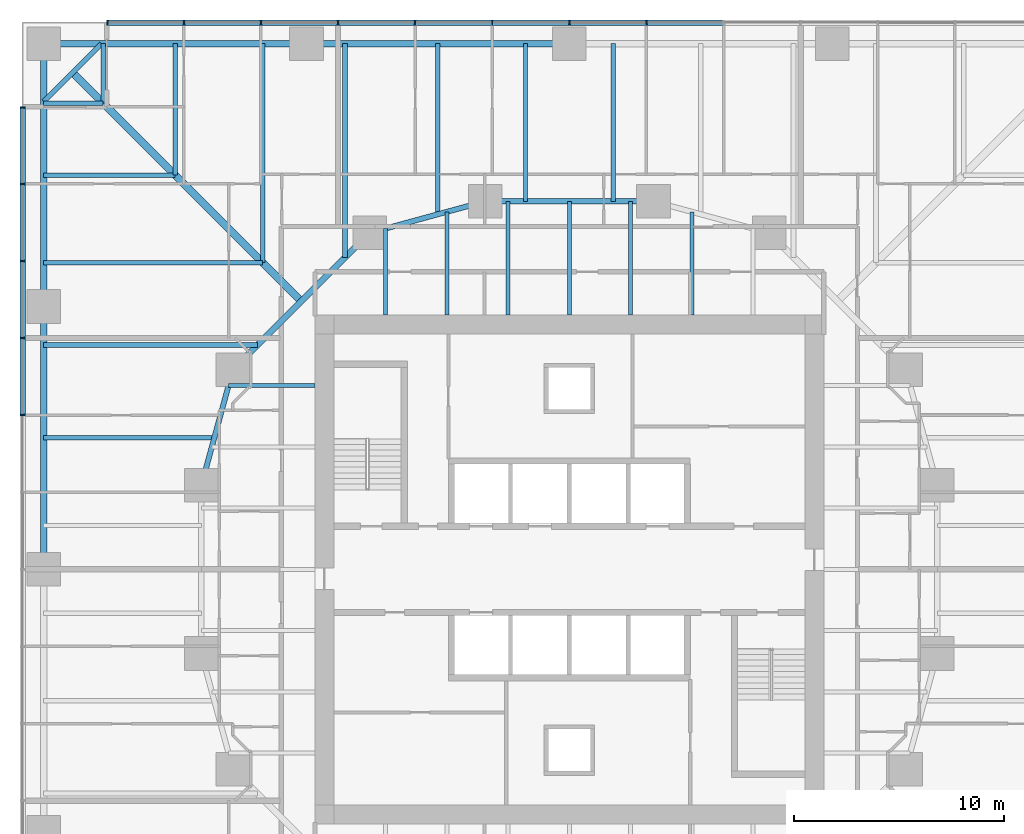
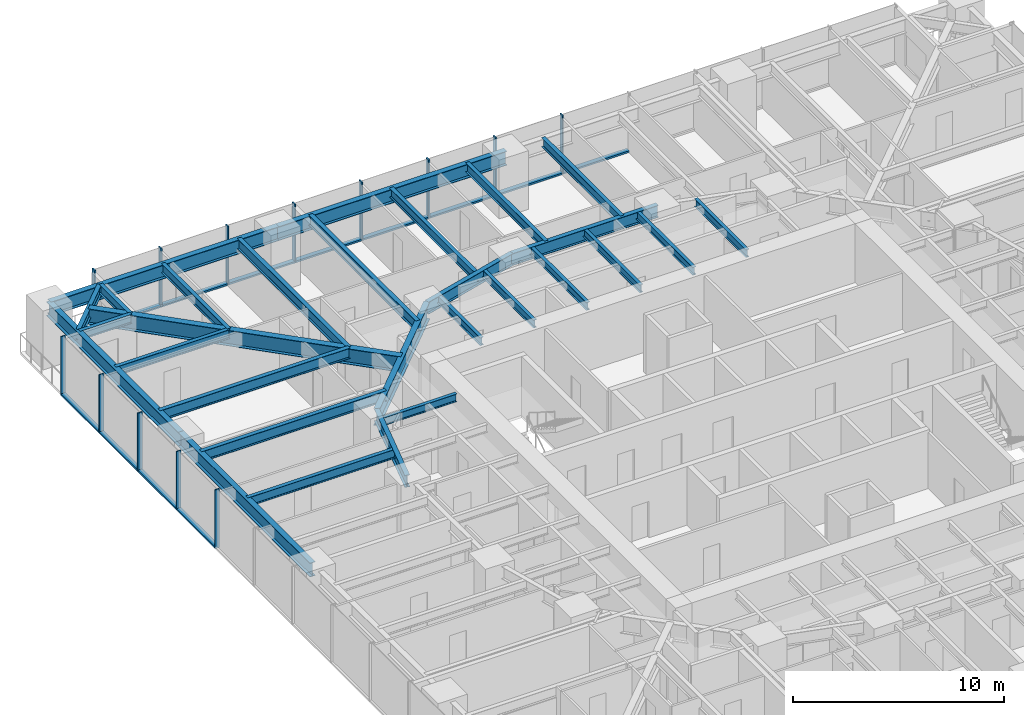
# One storey, part 5 of 18: 29 beams, 25 members, 2 elements without a shape of their own.
"""IFC4 building model written with IfcOpenShell, lengths in metres."""

import ifcopenshell
import ifcopenshell.guid

model = None  # the IFC model being written
_history = None  # IfcOwnerHistory: only IFC2X3 demands one
_inside = {}  # id of a spatial element -> (the spatial element, [elements in it])
_under = {}  # id of a project, library or spatial element -> (it, [spatial elements below it])
_declared = {}  # id of a project -> (the project, [libraries it declares])
_typed = {}  # id of a type object -> (the type object, [elements of that type])
_made_of = {}  # id of a material, layer set ... -> (it, [elements and type objects made of it])


def new_model(schema):
    """Start an empty IFC model of exactly this schema.

    Asked for "IFC4X3", IfcOpenShell would pick the latest addendum, in which some entities
    have other attributes; the version numbers below select the first issue.
    IFC2X3 requires an IfcOwnerHistory on every rooted entity: one is made here for all.
    """
    global model, _history
    if schema == "IFC4X3":
        model = ifcopenshell.file(schema_version=(4, 3, 0, 0))
    else:
        model = ifcopenshell.file(schema=schema)
    _inside.clear()
    _under.clear()
    _declared.clear()
    _typed.clear()
    _made_of.clear()
    _history = None
    if model.schema == "IFC2X3":
        org = make("IfcOrganization", Name="unknown")
        user = make(
            "IfcPersonAndOrganization",
            ThePerson=make("IfcPerson", FamilyName="unknown"),
            TheOrganization=org,
        )
        app = make(
            "IfcApplication",
            ApplicationDeveloper=org,
            Version="unknown",
            ApplicationFullName="unknown",
            ApplicationIdentifier="unknown",
        )
        _history = make(
            "IfcOwnerHistory",
            OwningUser=user,
            OwningApplication=app,
            ChangeAction="ADDED",
            CreationDate=0,
        )
    return model


def make(cls, **values):
    """One entity of the class cls with the attributes given. An attribute that is None is left unset."""
    return model.create_entity(
        cls, **{name: value for name, value in values.items() if value is not None}
    )


def rooted(cls, **values):
    """An entity with a GlobalId (a new one), such as an element, a storey or a relation."""
    return make(cls, GlobalId=ifcopenshell.guid.new(), OwnerHistory=_history, **values)


def si_unit(unit_type, name, prefix=None):
    """IfcSIUnit, for example si_unit("LENGTHUNIT", "METRE", prefix="MILLI")."""
    return make("IfcSIUnit", UnitType=unit_type, Prefix=prefix, Name=name)


def assignment(units):
    """IfcUnitAssignment: the units of a project."""
    return None if units is None else make("IfcUnitAssignment", Units=units)


def point(xyz):
    """IfcCartesianPoint."""
    return None if xyz is None else make("IfcCartesianPoint", Coordinates=xyz)


def direction(xyz):
    """IfcDirection."""
    return None if xyz is None else make("IfcDirection", DirectionRatios=xyz)


def frame(location, z_axis=None, x_axis=None):
    """IfcAxis2Placement3D, a coordinate frame: its origin and axes. An axis left out is left unset."""
    return make(
        "IfcAxis2Placement3D",
        Location=point(location),
        Axis=direction(z_axis),
        RefDirection=direction(x_axis),
    )


def frame_2d(location, x_axis=None):
    """IfcAxis2Placement2D, a coordinate frame in the plane: its origin and x axis."""
    return make(
        "IfcAxis2Placement2D", Location=point(location), RefDirection=direction(x_axis)
    )


def origin():
    """The frame at (0, 0, 0) with its axes left unset."""
    return frame((0.0, 0.0, 0.0))


def origin_2d():
    """The frame at (0, 0) in the plane with its x axis left unset."""
    return frame_2d((0.0, 0.0))


def place(relative_to, where):
    """IfcLocalPlacement: puts the frame where relative to a parent placement (None: the world)."""
    return make(
        "IfcLocalPlacement", PlacementRelTo=relative_to, RelativePlacement=where
    )


def context(
    kind, dimensions, precision=None, world=None, true_north=None, identifier=None
):
    """IfcGeometricRepresentationContext, for example the 3D "Model" context."""
    return make(
        "IfcGeometricRepresentationContext",
        ContextIdentifier=identifier,
        ContextType=kind,
        CoordinateSpaceDimension=dimensions,
        Precision=precision,
        WorldCoordinateSystem=world,
        TrueNorth=true_north,
    )


def subcontext(parent, identifier, kind, view, scale=None):
    """IfcGeometricRepresentationSubContext, for example "Body" below "Model"."""
    return make(
        "IfcGeometricRepresentationSubContext",
        ContextIdentifier=identifier,
        ContextType=kind,
        ParentContext=parent,
        TargetScale=scale,
        TargetView=view,
    )


def project(units=None, contexts=None):
    """IfcProject with its units and contexts."""
    return rooted(
        "IfcProject",
        Name="project",
        RepresentationContexts=contexts,
        UnitsInContext=assignment(units),
    )


def spatial(cls, under=None, at=None, **own):
    """A site, building, storey or space (cls), placed at a placement, below another one or the project."""
    s = rooted(cls, ObjectPlacement=at, **own)
    if under is not None:
        _under.setdefault(under.id(), (under, []))[1].append(s)
    return s


def profile(cls, at=None, kind="AREA", **sizes):
    """A parametric profile (cls). Its sizes go by their IFC names, for example OverallWidth=200.0."""
    return make(cls, ProfileType=kind, Position=at, **sizes)


def rectangle(**sizes):
    """IfcRectangleProfileDef."""
    return profile("IfcRectangleProfileDef", **sizes)


def i_section(**sizes):
    """IfcIShapeProfileDef."""
    return profile("IfcIShapeProfileDef", **sizes)


def extrude(swept, where, along, depth):
    """IfcExtrudedAreaSolid: the profile swept, set in the frame where, extruded along a direction by depth."""
    return make(
        "IfcExtrudedAreaSolid",
        SweptArea=swept,
        Position=where,
        ExtrudedDirection=direction(along),
        Depth=depth,
    )


def shape(context_of_items, identifier, shape_type, items):
    """IfcShapeRepresentation: the items that make up one representation, for example the "Body"."""
    return make(
        "IfcShapeRepresentation",
        ContextOfItems=context_of_items,
        RepresentationIdentifier=identifier,
        RepresentationType=shape_type,
        Items=items,
    )


def material(Name=None, Category=None):
    """IfcMaterial."""
    return make("IfcMaterial", Name=Name, Category=Category)


def material_profile(
    of_material, cross_section, Name=None, Category=None, Priority=None
):
    """IfcMaterialProfile: a cross section and its material."""
    return make(
        "IfcMaterialProfile",
        Name=Name,
        Material=of_material,
        Profile=cross_section,
        Priority=Priority,
        Category=Category,
    )


def profile_set(profiles, Name=None, composite=None):
    """IfcMaterialProfileSet."""
    return make(
        "IfcMaterialProfileSet",
        Name=Name,
        MaterialProfiles=profiles,
        CompositeProfile=composite,
    )


def made_of(thing, what):
    """Note that an element or type object is made of a material, layer set ...; save() writes the relation."""
    if what is not None:
        _made_of.setdefault(what.id(), (what, []))[1].append(thing)
    return thing


def type_object(cls, material=None, **own):
    """A type object (cls), such as IfcWallType, which elements share."""
    return made_of(rooted(cls, **own), material)


def element(
    cls,
    number,
    at=None,
    inside=None,
    cuts=None,
    type_object=None,
    material=None,
    context=None,
    identifier="Body",
    shape_type=None,
    held_by="IfcProductDefinitionShape",
    body=None,
    shapes=None,
    **own,
):
    """One element of the class cls, such as IfcWall. Its Tag is "e" and its number.

    at: its placement. inside: the storey or other place that contains it. cuts: it is an
    opening in that element (IfcRelVoidsElement). A single representation is given by context,
    identifier, shape_type and body (its items); several are given by shapes. held_by: the class
    of the entity that holds the representations. save() writes the other relations.
    """
    e = rooted(cls, Tag="e%d" % number, ObjectPlacement=at, **own)
    if body is not None:
        shapes = [shape(context, identifier, shape_type, body)]
    if shapes is not None:
        e.Representation = make(held_by, Representations=shapes)
    if inside is not None:
        _inside.setdefault(inside.id(), (inside, []))[1].append(e)
    if cuts is not None:
        rooted(
            "IfcRelVoidsElement", RelatingBuildingElement=cuts, RelatedOpeningElement=e
        )
    if type_object is not None:
        _typed.setdefault(type_object.id(), (type_object, []))[1].append(e)
    return made_of(e, material)


def aggregate(whole, parts):
    """IfcRelAggregates: a whole, such as a stair, and the parts it consists of."""
    return rooted("IfcRelAggregates", RelatingObject=whole, RelatedObjects=parts)


def save(model, path):
    """Write the relations noted so far, then the file.

    IfcRelAggregates (storeys below a building ...), IfcRelContainedInSpatialStructure (elements
    in a storey), IfcRelDefinesByType, IfcRelAssociatesMaterial and IfcRelDeclares: one each for
    every whole, place, type object, material and project.
    """
    for whole, parts in _under.values():
        aggregate(whole, parts)
    for where, things in _inside.values():
        rooted(
            "IfcRelContainedInSpatialStructure",
            RelatedElements=things,
            RelatingStructure=where,
        )
    for kind, things in _typed.values():
        rooted("IfcRelDefinesByType", RelatedObjects=things, RelatingType=kind)
    for what, things in _made_of.values():
        rooted("IfcRelAssociatesMaterial", RelatedObjects=things, RelatingMaterial=what)
    for by, libraries in _declared.values():
        rooted("IfcRelDeclares", RelatingContext=by, RelatedDefinitions=libraries)
    model.write(path)


model = new_model("IFC4")

# Units and contexts
model_context = context("Model", 3, precision=1e-05, world=origin(), true_north=direction((0.0, 1.0)))
body_context = subcontext(model_context, "Body", "Model", "MODEL_VIEW")
ifc_project = project(units=[si_unit("LENGTHUNIT", "METRE"), si_unit("AREAUNIT", "SQUARE_METRE"), si_unit("VOLUMEUNIT", "CUBIC_METRE"), si_unit("PLANEANGLEUNIT", "RADIAN"), si_unit("MASSUNIT", "GRAM", prefix="KILO")], contexts=[model_context])

# Site, building, storey
site_placement = place(None, origin())
site = spatial("IfcSite", under=ifc_project, at=site_placement, CompositionType="ELEMENT")
building_placement = place(site_placement, origin())
building = spatial("IfcBuilding", under=site, at=building_placement, Name="Torsade Residences", CompositionType="ELEMENT")
storey_placement = place(building_placement, frame((0.0, 0.0, 25.199951171875)))
storey = spatial("IfcBuildingStorey", under=building, at=storey_placement, Name="L06", CompositionType="ELEMENT", Elevation=25.199951171875)

# Beams
ifc_material_1 = material(Name="Steel grade 300", Category="steel")
ifc_material_profile_1 = material_profile(ifc_material_1, i_section(OverallWidth=0.35009765625, OverallDepth=0.909912109375, WebThickness=0.011962890625, FlangeThickness=0.02490234375, at=origin_2d()), Name="900WB218")
ifc_profile_set_1 = profile_set([ifc_material_profile_1], Name="Steel grade 300")
beam_type_1 = type_object("IfcBeamType", Name="CORNER GIRDER 900WB218", PredefinedType="BEAM", material=ifc_profile_set_1)
beam_1_placement = place(storey_placement, frame((16.375, 53.625, 2.795166015625), z_axis=(0.707106781187, -0.707106781187, 0.0), x_axis=(0.707106781187, 0.707106781187, 0.0)))
element("IfcBeam", 1, at=beam_1_placement, inside=storey, type_object=beam_type_1, Name="Corner girder 13 L07", PredefinedType="BEAM", context=body_context, shape_type="SweptSolid", body=[
    extrude(i_section(OverallWidth=0.35009765625, OverallDepth=0.909912109375, WebThickness=0.011962890625, FlangeThickness=0.02490234375, at=origin_2d()), origin(), (0.0, 0.0, 1.0), 15.379638671875),
])
ifc_material_2 = material(Name="Steel grade 300", Category="steel")
ifc_material_profile_2 = material_profile(ifc_material_2, i_section(OverallWidth=0.22802734375, OverallDepth=0.60205078125, WebThickness=0.010498046875, FlangeThickness=0.014892578125, FilletRadius=0.013916015625, at=origin_2d()), Name="610UB101")
ifc_profile_set_2 = profile_set([ifc_material_profile_2], Name="Steel grade 300")
beam_type_2 = type_object("IfcBeamType", Name="CORNER TRIMMER 610UB101", PredefinedType="BEAM", material=ifc_profile_set_2)
beam_2_placement = place(storey_placement, frame((15.0, 52.25, 2.948974609375), z_axis=(0.707106781187, 0.707106781187, 0.0), x_axis=(-0.707106781187, 0.707106781187, 0.0)))
element("IfcBeam", 2, at=beam_2_placement, inside=storey, type_object=beam_type_2, Name="Corner trimmer 13 L07", PredefinedType="BEAM", context=body_context, shape_type="SweptSolid", body=[
    extrude(i_section(OverallWidth=0.22802734375, OverallDepth=0.60205078125, WebThickness=0.010498046875, FlangeThickness=0.014892578125, FilletRadius=0.013916015625, at=origin_2d()), origin(), (0.0, 0.0, 1.0), 3.88916015625),
])

# Curtain wall, members
ifc_material_3 = material(Name="Aluminium and glass", Category="aluminium")
curtain_wall_type = type_object("IfcCurtainWallType", Name="FRITTED GLASS CURTAIN WALL LOW ZONE", PredefinedType="NOTDEFINED", material=ifc_material_3)
curtain_wall_1_placement = place(storey_placement, origin())
curtain_wall_1 = element("IfcCurtainWall", 3, at=curtain_wall_1_placement, inside=storey, type_object=curtain_wall_type, Name="Curtain wall L06 face 7", PredefinedType="NOTDEFINED")
ifc_material_4 = material(Name="Aluminium mullion", Category="aluminium")
ifc_material_profile_3 = material_profile(ifc_material_4, rectangle(XDim=0.25, YDim=0.06494140625, at=origin_2d()), Name="CURTAIN WALL MULLION 250x65")
ifc_profile_set_3 = profile_set([ifc_material_profile_3], Name="Aluminium mullion")
member_type_1 = type_object("IfcMemberType", Name="CURTAIN WALL MULLION 250x65", PredefinedType="MULLION", material=ifc_profile_set_3)
member_1_placement = place(storey_placement, frame((43.666748046875, 56.0, 0.0), z_axis=(0.0, 0.0, 1.0), x_axis=(0.0, -1.0, 0.0)))
member_1 = element("IfcMember", 4, at=member_1_placement, type_object=member_type_1, Name="Mullion 6", PredefinedType="MULLION", context=body_context, shape_type="SweptSolid", body=[
    extrude(rectangle(XDim=0.25, YDim=0.06494140625, at=origin_2d()), origin(), (0.0, 0.0, 1.0), 3.400146484375),
])
member_2_placement = place(storey_placement, frame((40.0, 56.0, 0.0), z_axis=(0.0, 0.0, 1.0), x_axis=(0.0, -1.0, 0.0)))
member_2 = element("IfcMember", 5, at=member_2_placement, type_object=member_type_1, Name="Mullion 7", PredefinedType="MULLION", context=body_context, shape_type="SweptSolid", body=[
    extrude(rectangle(XDim=0.25, YDim=0.06494140625, at=origin_2d()), origin(), (0.0, 0.0, 1.0), 3.400146484375),
])
member_3_placement = place(storey_placement, frame((36.333251953125, 56.0, 0.0), z_axis=(0.0, 0.0, 1.0), x_axis=(0.0, -1.0, 0.0)))
member_3 = element("IfcMember", 6, at=member_3_placement, type_object=member_type_1, Name="Mullion 8", PredefinedType="MULLION", context=body_context, shape_type="SweptSolid", body=[
    extrude(rectangle(XDim=0.25, YDim=0.06494140625, at=origin_2d()), origin(), (0.0, 0.0, 1.0), 3.400146484375),
])
member_4_placement = place(storey_placement, frame((32.666748046875, 56.0, 0.0), z_axis=(0.0, 0.0, 1.0), x_axis=(0.0, -1.0, 0.0)))
member_4 = element("IfcMember", 7, at=member_4_placement, type_object=member_type_1, Name="Mullion 9", PredefinedType="MULLION", context=body_context, shape_type="SweptSolid", body=[
    extrude(rectangle(XDim=0.25, YDim=0.06494140625, at=origin_2d()), origin(), (0.0, 0.0, 1.0), 3.400146484375),
])
member_5_placement = place(storey_placement, frame((29.0, 56.0, 0.0), z_axis=(0.0, 0.0, 1.0), x_axis=(0.0, -1.0, 0.0)))
member_5 = element("IfcMember", 8, at=member_5_placement, type_object=member_type_1, Name="Mullion 10", PredefinedType="MULLION", context=body_context, shape_type="SweptSolid", body=[
    extrude(rectangle(XDim=0.25, YDim=0.06494140625, at=origin_2d()), origin(), (0.0, 0.0, 1.0), 3.400146484375),
])
member_6_placement = place(storey_placement, frame((25.333251953125, 56.0, 0.0), z_axis=(0.0, 0.0, 1.0), x_axis=(0.0, -1.0, 0.0)))
member_6 = element("IfcMember", 9, at=member_6_placement, type_object=member_type_1, Name="Mullion 11", PredefinedType="MULLION", context=body_context, shape_type="SweptSolid", body=[
    extrude(rectangle(XDim=0.25, YDim=0.06494140625, at=origin_2d()), origin(), (0.0, 0.0, 1.0), 3.400146484375),
])
member_7_placement = place(storey_placement, frame((21.666748046875, 56.0, 0.0), z_axis=(0.0, 0.0, 1.0), x_axis=(0.0, -1.0, 0.0)))
member_7 = element("IfcMember", 10, at=member_7_placement, type_object=member_type_1, Name="Mullion 12", PredefinedType="MULLION", context=body_context, shape_type="SweptSolid", body=[
    extrude(rectangle(XDim=0.25, YDim=0.06494140625, at=origin_2d()), origin(), (0.0, 0.0, 1.0), 3.400146484375),
])
member_8_placement = place(storey_placement, frame((18.032470703125, 56.0, 0.0), z_axis=(0.0, 0.0, 1.0), x_axis=(0.0, -1.0, 0.0)))
member_8 = element("IfcMember", 11, at=member_8_placement, type_object=member_type_1, Name="Mullion 13", PredefinedType="MULLION", context=body_context, shape_type="SweptSolid", body=[
    extrude(rectangle(XDim=0.25, YDim=0.06494140625, at=origin_2d()), origin(), (0.0, 0.0, 1.0), 3.400146484375),
])

curtain_wall_2_placement = place(storey_placement, origin())
curtain_wall_2 = element("IfcCurtainWall", 12, at=curtain_wall_2_placement, inside=storey, type_object=curtain_wall_type, Name="Curtain wall L06 face 10", PredefinedType="NOTDEFINED")
member_9_placement = place(storey_placement, frame((14.0, 51.967529296875, 0.0), z_axis=(0.0, 0.0, 1.0), x_axis=(1.0, 0.0, 0.0)))
member_9 = element("IfcMember", 13, at=member_9_placement, type_object=member_type_1, Name="Mullion 1", PredefinedType="MULLION", context=body_context, shape_type="SweptSolid", body=[
    extrude(rectangle(XDim=0.25, YDim=0.06494140625, at=origin_2d()), origin(), (0.0, 0.0, 1.0), 3.400146484375),
])
member_10_placement = place(storey_placement, frame((14.0, 48.333251953125, 0.0), z_axis=(0.0, 0.0, 1.0), x_axis=(1.0, 0.0, 0.0)))
member_10 = element("IfcMember", 14, at=member_10_placement, type_object=member_type_1, Name="Mullion 2", PredefinedType="MULLION", context=body_context, shape_type="SweptSolid", body=[
    extrude(rectangle(XDim=0.25, YDim=0.06494140625, at=origin_2d()), origin(), (0.0, 0.0, 1.0), 3.400146484375),
])
member_11_placement = place(storey_placement, frame((14.0, 44.666748046875, 0.0), z_axis=(0.0, 0.0, 1.0), x_axis=(1.0, 0.0, 0.0)))
member_11 = element("IfcMember", 15, at=member_11_placement, type_object=member_type_1, Name="Mullion 3", PredefinedType="MULLION", context=body_context, shape_type="SweptSolid", body=[
    extrude(rectangle(XDim=0.25, YDim=0.06494140625, at=origin_2d()), origin(), (0.0, 0.0, 1.0), 3.400146484375),
])
member_12_placement = place(storey_placement, frame((14.0, 41.0, 0.0), z_axis=(0.0, 0.0, 1.0), x_axis=(1.0, 0.0, 0.0)))
member_12 = element("IfcMember", 16, at=member_12_placement, type_object=member_type_1, Name="Mullion 4", PredefinedType="MULLION", context=body_context, shape_type="SweptSolid", body=[
    extrude(rectangle(XDim=0.25, YDim=0.06494140625, at=origin_2d()), origin(), (0.0, 0.0, 1.0), 3.400146484375),
])
member_13_placement = place(storey_placement, frame((14.0, 37.333251953125, 0.0), z_axis=(0.0, 0.0, 1.0), x_axis=(1.0, 0.0, 0.0)))
member_13 = element("IfcMember", 17, at=member_13_placement, type_object=member_type_1, Name="Mullion 5", PredefinedType="MULLION", context=body_context, shape_type="SweptSolid", body=[
    extrude(rectangle(XDim=0.25, YDim=0.06494140625, at=origin_2d()), origin(), (0.0, 0.0, 1.0), 3.400146484375),
])

# Member
ifc_material_5 = material(Name="Aluminium transom", Category="aluminium")
ifc_material_profile_4 = material_profile(ifc_material_5, rectangle(XDim=0.25, YDim=0.10009765625, at=origin_2d()), Name="CURTAIN WALL TRANSOM 250x100")
ifc_profile_set_4 = profile_set([ifc_material_profile_4], Name="Aluminium transom")
member_type_2 = type_object("IfcMemberType", Name="CURTAIN WALL TRANSOM 250x100", PredefinedType="USERDEFINED", material=ifc_profile_set_4)
member_14_placement = place(storey_placement, frame((47.30078125, 56.0, 0.050048828125), z_axis=(-1.0, 0.0, 0.0), x_axis=(0.0, -1.0, 0.0)))
member_14 = element("IfcMember", 18, at=member_14_placement, type_object=member_type_2, Name="Transom 5.1", ObjectType="TRANSOM", PredefinedType="USERDEFINED", context=body_context, shape_type="SweptSolid", body=[
    extrude(rectangle(XDim=0.25, YDim=0.10009765625, at=origin_2d()), origin(), (0.0, 0.0, 1.0), 3.6015625),
])

member_15_placement = place(storey_placement, frame((43.63427734375, 56.0, 0.050048828125), z_axis=(-1.0, 0.0, 0.0), x_axis=(0.0, -1.0, 0.0)))
member_15 = element("IfcMember", 19, at=member_15_placement, type_object=member_type_2, Name="Transom 6.1", ObjectType="TRANSOM", PredefinedType="USERDEFINED", context=body_context, shape_type="SweptSolid", body=[
    extrude(rectangle(XDim=0.25, YDim=0.10009765625, at=origin_2d()), origin(), (0.0, 0.0, 1.0), 3.601806640625),
])

member_16_placement = place(storey_placement, frame((39.967529296875, 56.0, 0.050048828125), z_axis=(-1.0, 0.0, 0.0), x_axis=(0.0, -1.0, 0.0)))
member_16 = element("IfcMember", 20, at=member_16_placement, type_object=member_type_2, Name="Transom 7.1", ObjectType="TRANSOM", PredefinedType="USERDEFINED", context=body_context, shape_type="SweptSolid", body=[
    extrude(rectangle(XDim=0.25, YDim=0.10009765625, at=origin_2d()), origin(), (0.0, 0.0, 1.0), 3.601806640625),
])

member_17_placement = place(storey_placement, frame((36.30078125, 56.0, 0.050048828125), z_axis=(-1.0, 0.0, 0.0), x_axis=(0.0, -1.0, 0.0)))
member_17 = element("IfcMember", 21, at=member_17_placement, type_object=member_type_2, Name="Transom 8.1", ObjectType="TRANSOM", PredefinedType="USERDEFINED", context=body_context, shape_type="SweptSolid", body=[
    extrude(rectangle(XDim=0.25, YDim=0.10009765625, at=origin_2d()), origin(), (0.0, 0.0, 1.0), 3.6015625),
])

member_18_placement = place(storey_placement, frame((32.63427734375, 56.0, 0.050048828125), z_axis=(-1.0, 0.0, 0.0), x_axis=(0.0, -1.0, 0.0)))
member_18 = element("IfcMember", 22, at=member_18_placement, type_object=member_type_2, Name="Transom 9.1", ObjectType="TRANSOM", PredefinedType="USERDEFINED", context=body_context, shape_type="SweptSolid", body=[
    extrude(rectangle(XDim=0.25, YDim=0.10009765625, at=origin_2d()), origin(), (0.0, 0.0, 1.0), 3.601806640625),
])

member_19_placement = place(storey_placement, frame((28.967529296875, 56.0, 0.050048828125), z_axis=(-1.0, 0.0, 0.0), x_axis=(0.0, -1.0, 0.0)))
member_19 = element("IfcMember", 23, at=member_19_placement, type_object=member_type_2, Name="Transom 10.1", ObjectType="TRANSOM", PredefinedType="USERDEFINED", context=body_context, shape_type="SweptSolid", body=[
    extrude(rectangle(XDim=0.25, YDim=0.10009765625, at=origin_2d()), origin(), (0.0, 0.0, 1.0), 3.601806640625),
])

member_20_placement = place(storey_placement, frame((25.30078125, 56.0, 0.050048828125), z_axis=(-1.0, 0.0, 0.0), x_axis=(0.0, -1.0, 0.0)))
member_20 = element("IfcMember", 24, at=member_20_placement, type_object=member_type_2, Name="Transom 11.1", ObjectType="TRANSOM", PredefinedType="USERDEFINED", context=body_context, shape_type="SweptSolid", body=[
    extrude(rectangle(XDim=0.25, YDim=0.10009765625, at=origin_2d()), origin(), (0.0, 0.0, 1.0), 3.6015625),
])

member_21_placement = place(storey_placement, frame((21.63427734375, 56.0, 0.050048828125), z_axis=(-1.0, 0.0, 0.0), x_axis=(0.0, -1.0, 0.0)))
member_21 = element("IfcMember", 25, at=member_21_placement, type_object=member_type_2, Name="Transom 12.1", ObjectType="TRANSOM", PredefinedType="USERDEFINED", context=body_context, shape_type="SweptSolid", body=[
    extrude(rectangle(XDim=0.25, YDim=0.10009765625, at=origin_2d()), origin(), (0.0, 0.0, 1.0), 3.5693359375),
])

aggregate(curtain_wall_1, [member_1, member_2, member_3, member_4, member_5, member_6, member_7, member_8, member_14, member_15, member_16, member_17, member_18, member_19, member_20, member_21])

member_22_placement = place(storey_placement, frame((14.0, 51.93505859375, 0.050048828125), z_axis=(0.0, -1.0, 0.0), x_axis=(1.0, 0.0, 0.0)))
member_22 = element("IfcMember", 26, at=member_22_placement, type_object=member_type_2, Name="Transom 1.1", ObjectType="TRANSOM", PredefinedType="USERDEFINED", context=body_context, shape_type="SweptSolid", body=[
    extrude(rectangle(XDim=0.25, YDim=0.10009765625, at=origin_2d()), origin(), (0.0, 0.0, 1.0), 3.5693359375),
])

member_23_placement = place(storey_placement, frame((14.0, 48.30078125, 0.050048828125), z_axis=(0.0, -1.0, 0.0), x_axis=(1.0, 0.0, 0.0)))
member_23 = element("IfcMember", 27, at=member_23_placement, type_object=member_type_2, Name="Transom 2.1", ObjectType="TRANSOM", PredefinedType="USERDEFINED", context=body_context, shape_type="SweptSolid", body=[
    extrude(rectangle(XDim=0.25, YDim=0.10009765625, at=origin_2d()), origin(), (0.0, 0.0, 1.0), 3.6015625),
])

member_24_placement = place(storey_placement, frame((14.0, 44.63427734375, 0.050048828125), z_axis=(0.0, -1.0, 0.0), x_axis=(1.0, 0.0, 0.0)))
member_24 = element("IfcMember", 28, at=member_24_placement, type_object=member_type_2, Name="Transom 3.1", ObjectType="TRANSOM", PredefinedType="USERDEFINED", context=body_context, shape_type="SweptSolid", body=[
    extrude(rectangle(XDim=0.25, YDim=0.10009765625, at=origin_2d()), origin(), (0.0, 0.0, 1.0), 3.601806640625),
])

member_25_placement = place(storey_placement, frame((14.0, 40.967529296875, 0.050048828125), z_axis=(0.0, -1.0, 0.0), x_axis=(1.0, 0.0, 0.0)))
member_25 = element("IfcMember", 29, at=member_25_placement, type_object=member_type_2, Name="Transom 4.1", ObjectType="TRANSOM", PredefinedType="USERDEFINED", context=body_context, shape_type="SweptSolid", body=[
    extrude(rectangle(XDim=0.25, YDim=0.10009765625, at=origin_2d()), origin(), (0.0, 0.0, 1.0), 3.601806640625),
])

aggregate(curtain_wall_2, [member_9, member_10, member_11, member_12, member_13, member_22, member_23, member_24, member_25])

# Beams
ifc_material_6 = material(Name="Steel grade 300", Category="steel")
ifc_material_profile_5 = material_profile(ifc_material_6, i_section(OverallWidth=0.300048828125, OverallDepth=0.81591796875, WebThickness=0.010009765625, FlangeThickness=0.028076171875, at=origin_2d()), Name="800WB192")
ifc_profile_set_5 = profile_set([ifc_material_profile_5], Name="Steel grade 300")
beam_type_3 = type_object("IfcBeamType", Name="EDGE BEAM 800WB192", PredefinedType="SPANDREL", material=ifc_profile_set_5)
for number, where, z_axis, x_axis, name in (
    (30, (40.0, 55.0, 2.842041015625), (-1.0, 0.0, 0.0), (0.0, -1.0, 0.0), "Edge beam 11 L07"),
    (31, (27.5, 55.0, 2.842041015625), (-1.0, 0.0, 0.0), (0.0, -1.0, 0.0), "Edge beam 12 L07"),
    (32, (15.0, 55.0, 2.842041015625), (0.0, -1.0, 0.0), (1.0, 0.0, 0.0), "Edge beam 13 L07"),
    (33, (15.0, 42.5, 2.842041015625), (0.0, -1.0, 0.0), (1.0, 0.0, 0.0), "Edge beam 14 L07"),
):
    element("IfcBeam", number, at=place(storey_placement, frame(where, z_axis=z_axis, x_axis=x_axis)), inside=storey, type_object=beam_type_3, Name=name, PredefinedType="SPANDREL", context=body_context, shape_type="SweptSolid", body=[
        extrude(i_section(OverallWidth=0.300048828125, OverallDepth=0.81591796875, WebThickness=0.010009765625, FlangeThickness=0.028076171875, at=origin_2d()), origin(), (0.0, 0.0, 1.0), 12.5),
    ])
ifc_material_7 = material(Name="Steel grade 300", Category="steel")
ifc_material_profile_6 = material_profile(ifc_material_7, i_section(OverallWidth=0.18994140625, OverallDepth=0.4541015625, WebThickness=0.008544921875, FlangeThickness=0.0126953125, FilletRadius=0.011474609375, at=origin_2d()), Name="460UB67.1")
ifc_profile_set_6 = profile_set([ifc_material_profile_6], Name="Steel grade 300")
beam_type_4 = type_object("IfcBeamType", Name="INNER FLOOR BEAM 460UB67.1", PredefinedType="JOIST", material=ifc_profile_set_6)
beam_3_placement = place(storey_placement, frame((31.262451171875, 42.10009765625, 3.02294921875), z_axis=(0.0, 1.0, 0.0), x_axis=(-1.0, 0.0, 0.0)))
element("IfcBeam", 34, at=beam_3_placement, inside=storey, type_object=beam_type_4, Name="Inner floor beam IN01 L07", PredefinedType="JOIST", context=body_context, shape_type="SweptSolid", body=[
    extrude(i_section(OverallWidth=0.18994140625, OverallDepth=0.4541015625, WebThickness=0.008544921875, FlangeThickness=0.0126953125, FilletRadius=0.011474609375, at=origin_2d()), origin(), (0.0, 0.0, 1.0), 4.10791015625),
])
beam_4_placement = place(storey_placement, frame((34.175048828125, 42.10009765625, 3.02294921875), z_axis=(0.0, 1.0, 0.0), x_axis=(-1.0, 0.0, 0.0)))
element("IfcBeam", 35, at=beam_4_placement, inside=storey, type_object=beam_type_4, Name="Inner floor beam IN02 L07", PredefinedType="JOIST", context=body_context, shape_type="SweptSolid", body=[
    extrude(i_section(OverallWidth=0.18994140625, OverallDepth=0.4541015625, WebThickness=0.008544921875, FlangeThickness=0.0126953125, FilletRadius=0.011474609375, at=origin_2d()), origin(), (0.0, 0.0, 1.0), 4.902099609375),
])
for number, where, z_axis, x_axis, name in (
    (36, (37.08740234375, 42.10009765625, 3.02294921875), (0.0, 1.0, 0.0), (-1.0, 0.0, 0.0), "Inner floor beam IN03 L07"),
    (37, (40.0, 42.10009765625, 3.02294921875), (0.0, 1.0, 0.0), (-1.0, 0.0, 0.0), "Inner floor beam IN04 L07"),
    (38, (42.91259765625, 42.10009765625, 3.02294921875), (0.0, 1.0, 0.0), (-1.0, 0.0, 0.0), "Inner floor beam IN05 L07"),
):
    element("IfcBeam", number, at=place(storey_placement, frame(where, z_axis=z_axis, x_axis=x_axis)), inside=storey, type_object=beam_type_4, Name=name, PredefinedType="JOIST", context=body_context, shape_type="SweptSolid", body=[
        extrude(i_section(OverallWidth=0.18994140625, OverallDepth=0.4541015625, WebThickness=0.008544921875, FlangeThickness=0.0126953125, FilletRadius=0.011474609375, at=origin_2d()), origin(), (0.0, 0.0, 1.0), 5.39990234375),
    ])
beam_5_placement = place(storey_placement, frame((45.824951171875, 42.10009765625, 3.02294921875), z_axis=(0.0, 1.0, 0.0), x_axis=(-1.0, 0.0, 0.0)))
element("IfcBeam", 39, at=beam_5_placement, inside=storey, type_object=beam_type_4, Name="Inner floor beam IN06 L07", PredefinedType="JOIST", context=body_context, shape_type="SweptSolid", body=[
    extrude(i_section(OverallWidth=0.18994140625, OverallDepth=0.4541015625, WebThickness=0.008544921875, FlangeThickness=0.0126953125, FilletRadius=0.011474609375, at=origin_2d()), origin(), (0.0, 0.0, 1.0), 4.902099609375),
])
beam_6_placement = place(storey_placement, frame((27.89990234375, 38.737548828125, 3.02294921875), z_axis=(-1.0, 0.0, 0.0), x_axis=(0.0, -1.0, 0.0)))
element("IfcBeam", 40, at=beam_6_placement, inside=storey, type_object=beam_type_4, Name="Inner floor beam IW01 L07", PredefinedType="JOIST", context=body_context, shape_type="SweptSolid", body=[
    extrude(i_section(OverallWidth=0.18994140625, OverallDepth=0.4541015625, WebThickness=0.008544921875, FlangeThickness=0.0126953125, FilletRadius=0.011474609375, at=origin_2d()), origin(), (0.0, 0.0, 1.0), 4.10791015625),
])
ifc_material_8 = material(Name="Steel grade 300", Category="steel")
ifc_material_profile_7 = material_profile(ifc_material_8, i_section(OverallWidth=0.300048828125, OverallDepth=1.0, WebThickness=0.01611328125, FlangeThickness=0.028076171875, at=origin_2d()), Name="1000WB215")
ifc_profile_set_7 = profile_set([ifc_material_profile_7], Name="Steel grade 300")
beam_type_5 = type_object("IfcBeamType", Name="RING CORNER GIRDER 1000WB215", PredefinedType="BEAM", material=ifc_profile_set_7)
beam_7_placement = place(storey_placement, frame((30.5, 46.0, 2.75), z_axis=(-0.707106781187, -0.707106781187, 0.0), x_axis=(0.707106781187, -0.707106781187, 0.0)))
element("IfcBeam", 41, at=beam_7_placement, inside=storey, type_object=beam_type_5, Name="Ring girder IR07 L07", PredefinedType="BEAM", context=body_context, shape_type="SweptSolid", body=[
    extrude(i_section(OverallWidth=0.300048828125, OverallDepth=1.0, WebThickness=0.01611328125, FlangeThickness=0.028076171875, at=origin_2d()), origin(), (0.0, 0.0, 1.0), 9.1923828125),
])
ifc_material_9 = material(Name="Steel grade 300", Category="steel")
ifc_material_profile_8 = material_profile(ifc_material_9, i_section(OverallWidth=0.25, OverallDepth=0.699951171875, WebThickness=0.010009765625, FlangeThickness=0.02001953125, at=origin_2d()), Name="700WB130")
ifc_profile_set_8 = profile_set([ifc_material_profile_8], Name="Steel grade 300")
beam_type_6 = type_object("IfcBeamType", Name="RING GIRDER 700WB130", PredefinedType="BEAM", material=ifc_profile_set_8)
beam_8_placement = place(storey_placement, frame((44.0, 47.5, 2.900146484375), z_axis=(-1.0, 0.0, 0.0), x_axis=(0.0, -1.0, 0.0)))
element("IfcBeam", 42, at=beam_8_placement, inside=storey, type_object=beam_type_6, Name="Ring girder IR05 L07", PredefinedType="BEAM", context=body_context, shape_type="SweptSolid", body=[
    extrude(i_section(OverallWidth=0.25, OverallDepth=0.699951171875, WebThickness=0.010009765625, FlangeThickness=0.02001953125, at=origin_2d()), origin(), (0.0, 0.0, 1.0), 8.0),
])
for number, where, z_axis, x_axis, name in (
    (43, (36.0, 47.5, 2.900146484375), (-0.964763821238, -0.263117405792, 0.0), (0.263117405792, -0.964763821238, 0.0), "Ring girder IR06 L07"),
    (44, (24.0, 39.5, 2.900146484375), (-0.263117405792, -0.964763821238, 0.0), (0.964763821238, -0.263117405792, 0.0), "Ring girder IR08 L07"),
):
    element("IfcBeam", number, at=place(storey_placement, frame(where, z_axis=z_axis, x_axis=x_axis)), inside=storey, type_object=beam_type_6, Name=name, PredefinedType="BEAM", context=body_context, shape_type="SweptSolid", body=[
        extrude(i_section(OverallWidth=0.25, OverallDepth=0.699951171875, WebThickness=0.010009765625, FlangeThickness=0.02001953125, at=origin_2d()), origin(), (0.0, 0.0, 1.0), 5.700927734375),
    ])
ifc_material_10 = material(Name="Steel grade 300", Category="steel")
ifc_material_profile_9 = material_profile(ifc_material_10, i_section(OverallWidth=0.208984375, OverallDepth=0.528076171875, WebThickness=0.009521484375, FlangeThickness=0.01318359375, FilletRadius=0.013916015625, at=origin_2d()), Name="530UB82.0")
ifc_profile_set_9 = profile_set([ifc_material_profile_9], Name="Steel grade 300")
beam_type_7 = type_object("IfcBeamType", Name="SECONDARY BEAM 530UB82.0", PredefinedType="JOIST", material=ifc_profile_set_9)
for number, where, z_axis, x_axis, name in (
    (45, (42.083251953125, 55.0, 2.986083984375), (0.0, -1.0, 0.0), (1.0, 0.0, 0.0), "Floor beam FN06 L07"),
    (46, (37.916748046875, 55.0, 2.986083984375), (0.0, -1.0, 0.0), (1.0, 0.0, 0.0), "Floor beam FN07 L07"),
):
    element("IfcBeam", number, at=place(storey_placement, frame(where, z_axis=z_axis, x_axis=x_axis)), inside=storey, type_object=beam_type_7, Name=name, PredefinedType="JOIST", context=body_context, shape_type="SweptSolid", body=[
        extrude(i_section(OverallWidth=0.208984375, OverallDepth=0.528076171875, WebThickness=0.009521484375, FlangeThickness=0.01318359375, FilletRadius=0.013916015625, at=origin_2d()), origin(), (0.0, 0.0, 1.0), 7.5),
    ])
beam_9_placement = place(storey_placement, frame((33.75, 55.0, 2.986083984375), z_axis=(0.0, -1.0, 0.0), x_axis=(1.0, 0.0, 0.0)))
element("IfcBeam", 47, at=beam_9_placement, inside=storey, type_object=beam_type_7, Name="Floor beam FN08 L07", PredefinedType="JOIST", context=body_context, shape_type="SweptSolid", body=[
    extrude(i_section(OverallWidth=0.208984375, OverallDepth=0.528076171875, WebThickness=0.009521484375, FlangeThickness=0.01318359375, FilletRadius=0.013916015625, at=origin_2d()), origin(), (0.0, 0.0, 1.0), 8.113525390625),
])
beam_10_placement = place(storey_placement, frame((21.25, 55.0, 2.986083984375), z_axis=(0.0, -1.0, 0.0), x_axis=(1.0, 0.0, 0.0)))
element("IfcBeam", 48, at=beam_10_placement, inside=storey, type_object=beam_type_7, Name="Floor beam FN11 L07", PredefinedType="JOIST", context=body_context, shape_type="SweptSolid", body=[
    extrude(i_section(OverallWidth=0.208984375, OverallDepth=0.528076171875, WebThickness=0.009521484375, FlangeThickness=0.01318359375, FilletRadius=0.013916015625, at=origin_2d()), origin(), (0.0, 0.0, 1.0), 6.25),
])
for number, where, z_axis, x_axis, name in (
    (49, (17.833251953125, 55.0, 2.986083984375), (0.0, -1.0, 0.0), (1.0, 0.0, 0.0), "Floor beam FN12 L07"),
    (50, (15.0, 52.166748046875, 2.986083984375), (1.0, 0.0, 0.0), (0.0, 1.0, 0.0), "Floor beam FW01 L07"),
):
    element("IfcBeam", number, at=place(storey_placement, frame(where, z_axis=z_axis, x_axis=x_axis)), inside=storey, type_object=beam_type_7, Name=name, PredefinedType="JOIST", context=body_context, shape_type="SweptSolid", body=[
        extrude(i_section(OverallWidth=0.208984375, OverallDepth=0.528076171875, WebThickness=0.009521484375, FlangeThickness=0.01318359375, FilletRadius=0.013916015625, at=origin_2d()), origin(), (0.0, 0.0, 1.0), 2.833251953125),
    ])
beam_11_placement = place(storey_placement, frame((15.0, 48.75, 2.986083984375), z_axis=(1.0, 0.0, 0.0), x_axis=(0.0, 1.0, 0.0)))
element("IfcBeam", 51, at=beam_11_placement, inside=storey, type_object=beam_type_7, Name="Floor beam FW02 L07", PredefinedType="JOIST", context=body_context, shape_type="SweptSolid", body=[
    extrude(i_section(OverallWidth=0.208984375, OverallDepth=0.528076171875, WebThickness=0.009521484375, FlangeThickness=0.01318359375, FilletRadius=0.013916015625, at=origin_2d()), origin(), (0.0, 0.0, 1.0), 6.25),
])
beam_12_placement = place(storey_placement, frame((15.0, 36.25, 2.986083984375), z_axis=(1.0, 0.0, 0.0), x_axis=(0.0, 1.0, 0.0)))
element("IfcBeam", 52, at=beam_12_placement, inside=storey, type_object=beam_type_7, Name="Floor beam FW05 L07", PredefinedType="JOIST", context=body_context, shape_type="SweptSolid", body=[
    extrude(i_section(OverallWidth=0.208984375, OverallDepth=0.528076171875, WebThickness=0.009521484375, FlangeThickness=0.01318359375, FilletRadius=0.013916015625, at=origin_2d()), origin(), (0.0, 0.0, 1.0), 8.113525390625),
])
ifc_material_11 = material(Name="Steel grade 300", Category="steel")
ifc_material_profile_10 = material_profile(ifc_material_11, i_section(OverallWidth=0.22900390625, OverallDepth=0.612060546875, WebThickness=0.011962890625, FlangeThickness=0.01953125, FilletRadius=0.013916015625, at=origin_2d()), Name="610UB125")
ifc_profile_set_10 = profile_set([ifc_material_profile_10], Name="Steel grade 300")
beam_type_8 = type_object("IfcBeamType", Name="SECONDARY BEAM 610UB125", PredefinedType="JOIST", material=ifc_profile_set_10)
beam_13_placement = place(storey_placement, frame((29.333251953125, 55.0, 2.944091796875), z_axis=(0.0, -1.0, 0.0), x_axis=(1.0, 0.0, 0.0)))
element("IfcBeam", 53, at=beam_13_placement, inside=storey, type_object=beam_type_8, Name="Floor beam FN09 L07", PredefinedType="JOIST", context=body_context, shape_type="SweptSolid", body=[
    extrude(i_section(OverallWidth=0.22900390625, OverallDepth=0.612060546875, WebThickness=0.011962890625, FlangeThickness=0.01953125, FilletRadius=0.013916015625, at=origin_2d()), origin(), (0.0, 0.0, 1.0), 10.166748046875),
])
for number, where, z_axis, x_axis, name in (
    (54, (25.416748046875, 55.0, 2.944091796875), (0.0, -1.0, 0.0), (1.0, 0.0, 0.0), "Floor beam FN10 L07"),
    (55, (15.0, 44.583251953125, 2.944091796875), (1.0, 0.0, 0.0), (0.0, 1.0, 0.0), "Floor beam FW03 L07"),
):
    element("IfcBeam", number, at=place(storey_placement, frame(where, z_axis=z_axis, x_axis=x_axis)), inside=storey, type_object=beam_type_8, Name=name, PredefinedType="JOIST", context=body_context, shape_type="SweptSolid", body=[
        extrude(i_section(OverallWidth=0.22900390625, OverallDepth=0.612060546875, WebThickness=0.011962890625, FlangeThickness=0.01953125, FilletRadius=0.013916015625, at=origin_2d()), origin(), (0.0, 0.0, 1.0), 10.416748046875),
    ])
beam_14_placement = place(storey_placement, frame((15.0, 40.666748046875, 2.944091796875), z_axis=(1.0, 0.0, 0.0), x_axis=(0.0, 1.0, 0.0)))
element("IfcBeam", 56, at=beam_14_placement, inside=storey, type_object=beam_type_8, Name="Floor beam FW04 L07", PredefinedType="JOIST", context=body_context, shape_type="SweptSolid", body=[
    extrude(i_section(OverallWidth=0.22900390625, OverallDepth=0.612060546875, WebThickness=0.011962890625, FlangeThickness=0.01953125, FilletRadius=0.013916015625, at=origin_2d()), origin(), (0.0, 0.0, 1.0), 10.166748046875),
])

save(model, "model.ifc")
